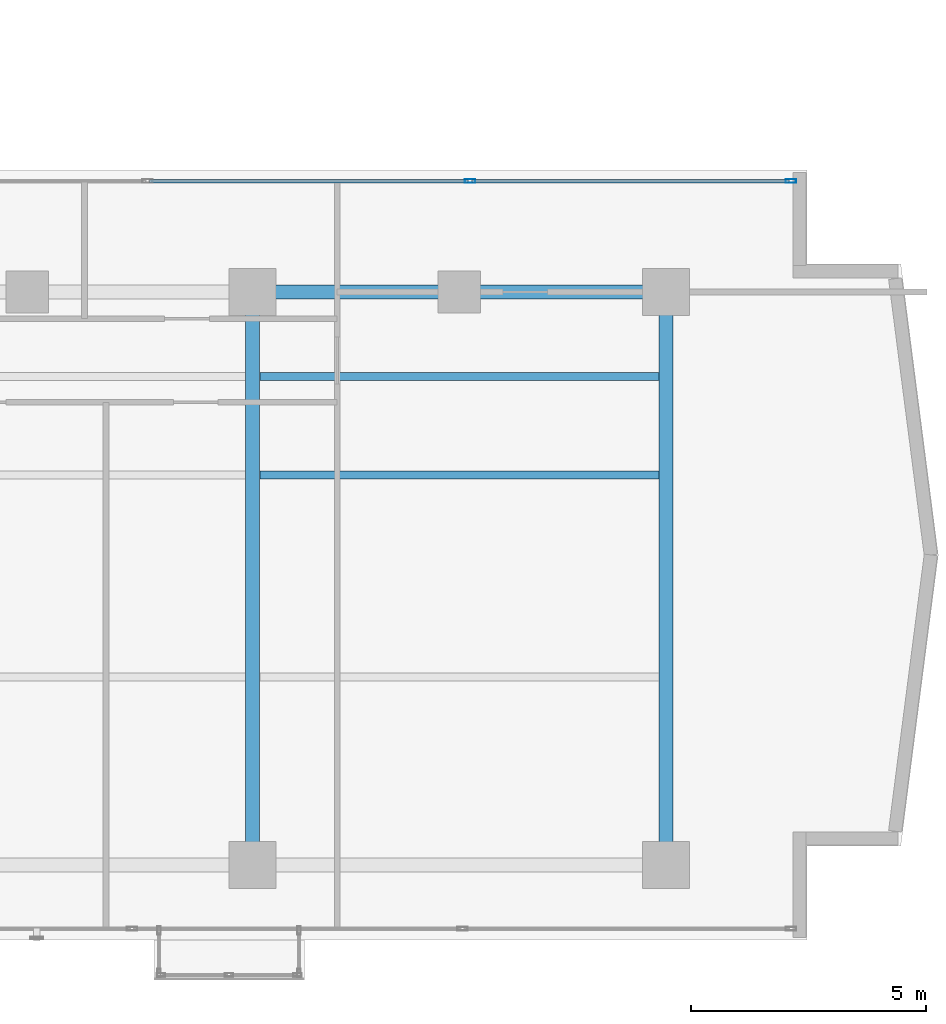
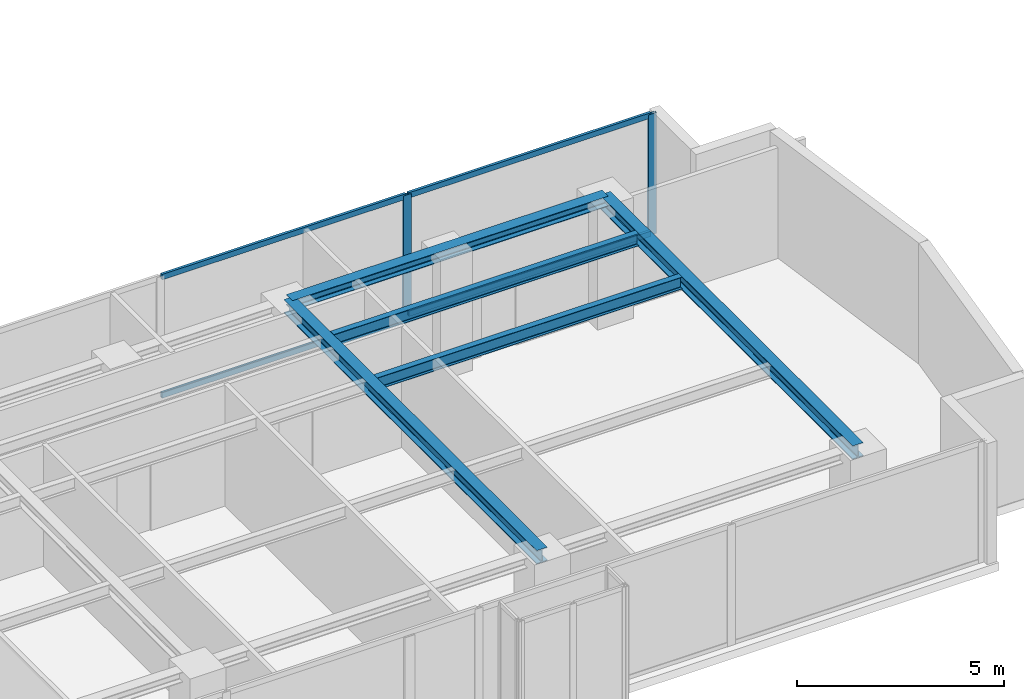
# One storey, part 12 of 24: 6 members, 5 beams, 1 element without a shape of its own.
"""IFC4 building model written with IfcOpenShell, lengths in metres."""

from ifc_helpers import new_model, si_unit, direction, frame, origin, origin_with_axes, origin_2d, place, context, subcontext, project, spatial, hollow_rectangle, i_section, extrude, source, transform, mapped, material, layer, layer_set, material_profile, profile_set, type_object, element, aggregate, save


model = new_model("IFC4")

# Units and contexts
model_context = context("Model", 3, precision=1e-05, world=origin(), true_north=direction((0.0, 1.0)))
body_context = subcontext(model_context, "Body", "Model", "MODEL_VIEW")
ifc_project = project(units=[si_unit("LENGTHUNIT", "METRE"), si_unit("AREAUNIT", "SQUARE_METRE"), si_unit("VOLUMEUNIT", "CUBIC_METRE"), si_unit("PLANEANGLEUNIT", "RADIAN"), si_unit("MASSUNIT", "GRAM", prefix="KILO")], contexts=[model_context])

# Site, building, storey
site_placement = place(None, origin())
site = spatial("IfcSite", under=ifc_project, at=site_placement, CompositionType="ELEMENT")
building_placement = place(site_placement, origin())
building = spatial("IfcBuilding", under=site, at=building_placement, Name="Kolvaren Waterfront Exchange", CompositionType="ELEMENT")
storey_placement = place(building_placement, frame((0.0, 0.0, 208.300048828125)))
storey = spatial("IfcBuildingStorey", under=building, at=storey_placement, Name="L53", CompositionType="ELEMENT", Elevation=208.300048828125)

# Beams
ifc_material_1 = material(Name="Steel S355", Category="steel")
ifc_material_profile_1 = material_profile(ifc_material_1, i_section(OverallWidth=0.300048828125, OverallDepth=0.300048828125, WebThickness=0.010986328125, FlangeThickness=0.01904296875, FilletRadius=0.027099609375, at=origin_2d()), Name="HEB300")
ifc_profile_set_1 = profile_set([ifc_material_profile_1], Name="Steel S355")
beam_type_1 = type_object("IfcBeamType", Name="STR-BM-HEB300", PredefinedType="SPANDREL", material=ifc_profile_set_1)
beam_placement = place(storey_placement, frame((36.800048828125, 17.39990234375, 3.409912109375), z_axis=(1.0, 0.0, 0.0), x_axis=(0.0, 1.0, 0.0)))
element("IfcBeam", 1, at=beam_placement, inside=storey, type_object=beam_type_1, Name="L53 east-arm spandrel N3", PredefinedType="SPANDREL", context=body_context, shape_type="SweptSolid", body=[
    extrude(i_section(OverallWidth=0.300048828125, OverallDepth=0.300048828125, WebThickness=0.010986328125, FlangeThickness=0.01904296875, FilletRadius=0.027099609375, at=origin_2d()), origin(), (0.0, 0.0, 1.0), 8.800048828125),
])
ifc_material_profile_2 = material_profile(ifc_material_1, i_section(OverallWidth=0.300048828125, OverallDepth=0.39990234375, WebThickness=0.013427734375, FlangeThickness=0.02392578125, FilletRadius=0.027099609375, at=origin_2d()), Name="HEB400")
ifc_profile_set_2 = profile_set([ifc_material_profile_2], Name="Steel S355")
beam_type_2 = type_object("IfcBeamType", Name="STR-BM-HEB400", PredefinedType="BEAM", material=ifc_profile_set_2)
for number, where, z_axis, x_axis, name in (
    (2, (36.800048828125, 5.199951171875, 3.35986328125), (0.0, 1.0, 0.0), (-1.0, 0.0, 0.0), "L53 east-arm transverse girder X36"),
    (3, (45.60009765625, 5.199951171875, 3.35986328125), (0.0, 1.0, 0.0), (-1.0, 0.0, 0.0), "L53 east-arm transverse girder X45"),
):
    element("IfcBeam", number, at=place(storey_placement, frame(where, z_axis=z_axis, x_axis=x_axis)), inside=storey, type_object=beam_type_2, Name=name, PredefinedType="BEAM", context=body_context, shape_type="SweptSolid", body=[
        extrude(i_section(OverallWidth=0.300048828125, OverallDepth=0.39990234375, WebThickness=0.013427734375, FlangeThickness=0.02392578125, FilletRadius=0.027099609375, at=origin_2d()), origin(), (0.0, 0.0, 1.0), 12.199951171875),
    ])
ifc_material_profile_3 = material_profile(ifc_material_1, i_section(OverallWidth=0.169921875, OverallDepth=0.360107421875, WebThickness=0.008056640625, FlangeThickness=0.0126953125, FilletRadius=0.01806640625, at=origin_2d()), Name="IPE360")
ifc_profile_set_3 = profile_set([ifc_material_profile_3], Name="Steel S355")
beam_type_3 = type_object("IfcBeamType", Name="STR-BM-IPE360", PredefinedType="JOIST", material=ifc_profile_set_3)
for number, where, z_axis, x_axis, name in (
    (4, (36.951904296875, 13.5, 3.3798828125), (1.0, 0.0, 0.0), (0.0, 1.0, 0.0), "L53 east-arm composite joist 3A"),
    (5, (36.951904296875, 15.60009765625, 3.3798828125), (1.0, 0.0, 0.0), (0.0, 1.0, 0.0), "L53 east-arm composite joist 3C"),
):
    element("IfcBeam", number, at=place(storey_placement, frame(where, z_axis=z_axis, x_axis=x_axis)), inside=storey, type_object=beam_type_3, Name=name, PredefinedType="JOIST", context=body_context, shape_type="SweptSolid", body=[
        extrude(i_section(OverallWidth=0.169921875, OverallDepth=0.360107421875, WebThickness=0.008056640625, FlangeThickness=0.0126953125, FilletRadius=0.01806640625, at=origin_2d()), origin(), (0.0, 0.0, 1.0), 8.49609375),
    ])

# Curtain wall, members
ifc_material_2 = material(Name="Anodised bronze aluminium 6063-T6", Category="aluminium")
ifc_layer = layer(ifc_material_2, 0.219970703125, Name="Anodised bronze aluminium 6063-T6")
ifc_layer_set = layer_set([ifc_layer], Name="Anodised bronze aluminium 6063-T6")
curtain_wall_type = type_object("IfcCurtainWallType", Name="ARC-CW-SYS1", PredefinedType="USERDEFINED", material=ifc_layer_set)
curtain_wall_placement = place(storey_placement, origin())
curtain_wall = element("IfcCurtainWall", 6, at=curtain_wall_placement, inside=storey, type_object=curtain_wall_type, Name="L53 stick curtain wall CW1 (CW-L53-EN)", ObjectType="STICK CURTAIN WALL", PredefinedType="USERDEFINED")
ifc_material_3 = material(Name="Anodised aluminium 6063-T6", Category="aluminium")
ifc_material_profile_4 = material_profile(ifc_material_3, hollow_rectangle(XDim=0.080078125, YDim=0.219970703125, WallThickness=0.0048828125, at=origin_2d()), Name="ALU-MUL-220x80x5")
ifc_profile_set_4 = profile_set([ifc_material_profile_4], Name="Anodised aluminium 6063-T6")
member_type_1 = type_object("IfcMemberType", Name="ARC-CWM-220", PredefinedType="MULLION", material=ifc_profile_set_4)
shared_shape_1 = source(origin_with_axes(), body_context, "Body", "SweptSolid", [
    extrude(hollow_rectangle(XDim=0.080078125, YDim=0.219970703125, WallThickness=0.0048828125, at=origin_2d()), origin(), (0.0, 0.0, 1.0), 3.56005859375),
])
member_1_placement = place(storey_placement, frame((41.429931640625, 19.760009765625, 0.0), z_axis=(0.0, 0.0, 1.0), x_axis=(0.0, 1.0, 0.0)))
member_1 = element("IfcMember", 7, at=member_1_placement, type_object=member_type_1, Name="CW1 mullion 3", PredefinedType="MULLION", context=body_context, shape_type="MappedRepresentation", body=[
    mapped(shared_shape_1, transform((0.0, 0.0, 0.0), x_axis=(1.0, 0.0, 0.0), y_axis=(0.0, 1.0, 0.0), z_axis=(0.0, 0.0, 1.0), scale=1.0)),
])
member_2_placement = place(storey_placement, frame((48.260009765625, 19.760009765625, 0.0), z_axis=(0.0, 0.0, 1.0), x_axis=(0.0, 1.0, 0.0)))
member_2 = element("IfcMember", 8, at=member_2_placement, type_object=member_type_1, Name="CW1 mullion 4", PredefinedType="MULLION", context=body_context, shape_type="MappedRepresentation", body=[
    mapped(shared_shape_1, transform((0.0, 0.0, 0.0), x_axis=(1.0, 0.0, 0.0), y_axis=(0.0, 1.0, 0.0), z_axis=(0.0, 0.0, 1.0), scale=1.0)),
])
ifc_material_profile_5 = material_profile(ifc_material_3, hollow_rectangle(XDim=0.074951171875, YDim=0.159912109375, WallThickness=0.00439453125, at=origin_2d()), Name="ALU-TRN-160x75x4.5")
ifc_profile_set_5 = profile_set([ifc_material_profile_5], Name="Anodised aluminium 6063-T6")
member_type_2 = type_object("IfcMemberType", Name="ARC-CWT-160", PredefinedType="USERDEFINED", material=ifc_profile_set_5)
shared_shape_2 = source(origin_with_axes(), body_context, "Body", "SweptSolid", [
    extrude(hollow_rectangle(XDim=0.074951171875, YDim=0.159912109375, WallThickness=0.00439453125, at=origin_2d()), origin(), (0.0, 0.0, 1.0), 6.75),
])
member_3_placement = place(storey_placement, frame((41.469970703125, 19.760009765625, 0.037353515625), z_axis=(1.0, 0.0, 0.0), x_axis=(0.0, 1.0, 0.0)))
member_3 = element("IfcMember", 9, at=member_3_placement, type_object=member_type_2, Name="CW1 transom 3.1", ObjectType="TRANSOM", PredefinedType="USERDEFINED", context=body_context, shape_type="MappedRepresentation", body=[
    mapped(shared_shape_2, transform((0.0, 0.0, 0.0), x_axis=(1.0, 0.0, 0.0), y_axis=(0.0, 1.0, 0.0), z_axis=(0.0, 0.0, 1.0), scale=1.0)),
])
member_4_placement = place(storey_placement, frame((41.469970703125, 19.760009765625, 3.5224609375), z_axis=(1.0, 0.0, 0.0), x_axis=(0.0, 1.0, 0.0)))
member_4 = element("IfcMember", 10, at=member_4_placement, type_object=member_type_2, Name="CW1 transom 3.2", ObjectType="TRANSOM", PredefinedType="USERDEFINED", context=body_context, shape_type="MappedRepresentation", body=[
    mapped(shared_shape_2, transform((0.0, 0.0, 0.0), x_axis=(1.0, 0.0, 0.0), y_axis=(0.0, 1.0, 0.0), z_axis=(0.0, 0.0, 1.0), scale=1.0)),
])
shared_shape_3 = source(origin_with_axes(), body_context, "Body", "SweptSolid", [
    extrude(hollow_rectangle(XDim=0.074951171875, YDim=0.159912109375, WallThickness=0.00439453125, at=origin_2d()), origin(), (0.0, 0.0, 1.0), 6.789794921875),
])
member_5_placement = place(storey_placement, frame((34.60009765625, 19.760009765625, 0.037353515625), z_axis=(1.0, 0.0, 0.0), x_axis=(0.0, 1.0, 0.0)))
member_5 = element("IfcMember", 11, at=member_5_placement, type_object=member_type_2, Name="CW1 transom 2.1", ObjectType="TRANSOM", PredefinedType="USERDEFINED", context=body_context, shape_type="MappedRepresentation", body=[
    mapped(shared_shape_3, transform((0.0, 0.0, 0.0), x_axis=(1.0, 0.0, 0.0), y_axis=(0.0, 1.0, 0.0), z_axis=(0.0, 0.0, 1.0), scale=1.0)),
])
member_6_placement = place(storey_placement, frame((34.60009765625, 19.760009765625, 3.5224609375), z_axis=(1.0, 0.0, 0.0), x_axis=(0.0, 1.0, 0.0)))
member_6 = element("IfcMember", 12, at=member_6_placement, type_object=member_type_2, Name="CW1 transom 2.2", ObjectType="TRANSOM", PredefinedType="USERDEFINED", context=body_context, shape_type="MappedRepresentation", body=[
    mapped(shared_shape_3, transform((0.0, 0.0, 0.0), x_axis=(1.0, 0.0, 0.0), y_axis=(0.0, 1.0, 0.0), z_axis=(0.0, 0.0, 1.0), scale=1.0)),
])
aggregate(curtain_wall, [member_1, member_2, member_5, member_6, member_3, member_4])

save(model, "model.ifc")
